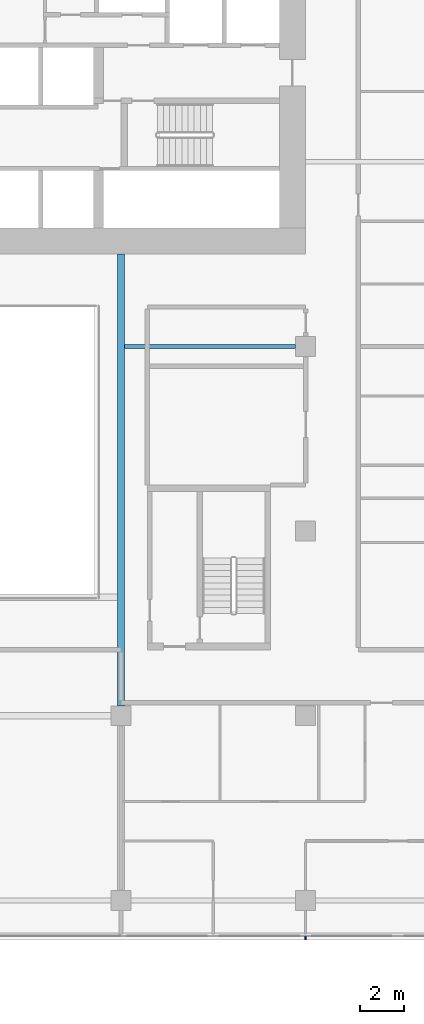
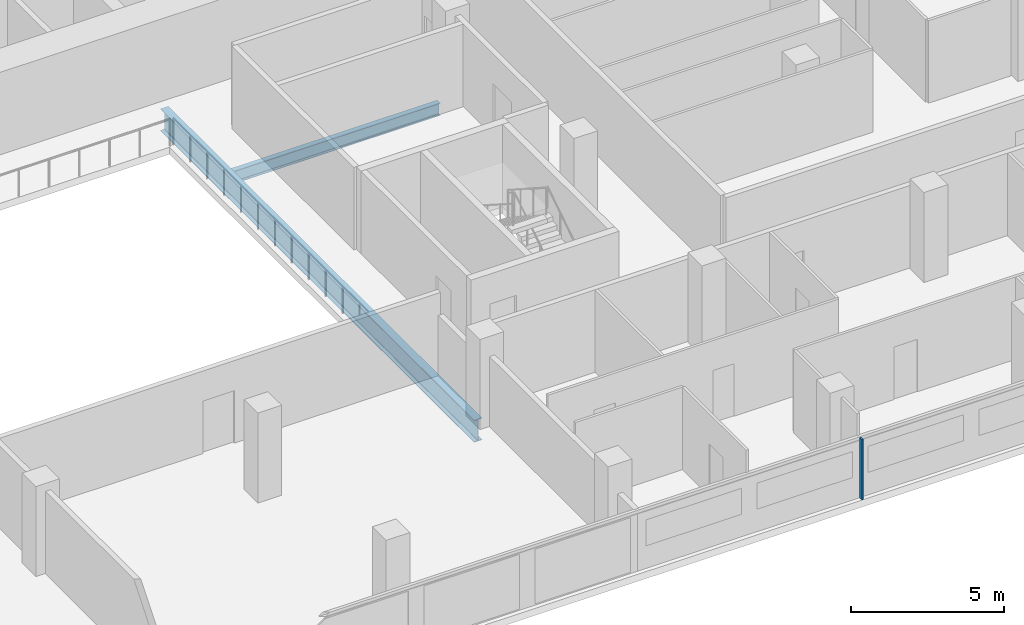
# One storey, part 8 of 25: 2 beams, 1 member, 1 element without a shape of its own.
"""IFC4 building model written with IfcOpenShell, lengths in metres."""

from ifc_helpers import new_model, si_unit, direction, frame, origin, origin_2d, place, context, subcontext, project, spatial, rectangle, i_section, extrude, material, material_profile, profile_set, type_object, element, aggregate, save


model = new_model("IFC4")

# Units and contexts
model_context = context("Model", 3, precision=1e-05, world=origin(), true_north=direction((0.0, 1.0)))
body_context = subcontext(model_context, "Body", "Model", "MODEL_VIEW")
ifc_project = project(units=[si_unit("LENGTHUNIT", "METRE"), si_unit("AREAUNIT", "SQUARE_METRE"), si_unit("VOLUMEUNIT", "CUBIC_METRE"), si_unit("PLANEANGLEUNIT", "RADIAN"), si_unit("MASSUNIT", "GRAM", prefix="KILO")], contexts=[model_context])

# Site, building, storey
site_placement = place(None, origin())
site = spatial("IfcSite", under=ifc_project, at=site_placement, CompositionType="ELEMENT")
building_placement = place(site_placement, origin())
building = spatial("IfcBuilding", under=site, at=building_placement, Name="Saffron Gate Tower", CompositionType="ELEMENT")
storey_placement = place(building_placement, frame((0.0, 0.0, 80.39990234375)))
storey = spatial("IfcBuildingStorey", under=building, at=storey_placement, Name="L19", CompositionType="ELEMENT", Elevation=80.39990234375)

# Beams
ifc_material_1 = material(Name="Structural steel S355", Category="steel")
ifc_material_profile_1 = material_profile(ifc_material_1, i_section(OverallWidth=0.199951171875, OverallDepth=0.5, WebThickness=0.01025390625, FlangeThickness=0.01611328125, FilletRadius=0.02099609375, at=origin_2d()))
ifc_profile_set_1 = profile_set([ifc_material_profile_1], Name="Structural steel S355")
beam_type_1 = type_object("IfcBeamType", Name="B10 IPE 500", PredefinedType="BEAM", material=ifc_profile_set_1)
beam_1_placement = place(storey_placement, frame((108.14990234375, 57.0, -0.52978515625), z_axis=(-1.0, 0.0, 0.0), x_axis=(0.0, -1.0, 0.0)))
element("IfcBeam", 1, at=beam_1_placement, inside=storey, type_object=beam_type_1, Name="B10 CORE TIE BEAM", PredefinedType="BEAM", context=body_context, shape_type="SweptSolid", body=[
    extrude(i_section(OverallWidth=0.199951171875, OverallDepth=0.5, WebThickness=0.01025390625, FlangeThickness=0.01611328125, FilletRadius=0.02099609375, at=origin_2d()), origin(), (0.0, 0.0, 1.0), 7.7998046875),
])
ifc_material_profile_2 = material_profile(ifc_material_1, i_section(OverallWidth=0.300048828125, OverallDepth=0.889892578125, WebThickness=0.01611328125, FlangeThickness=0.030029296875, FilletRadius=0.030029296875, at=origin_2d()))
ifc_profile_set_2 = profile_set([ifc_material_profile_2], Name="Structural steel S355")
beam_type_2 = type_object("IfcBeamType", Name="B19 HEA 900", PredefinedType="BEAM", material=ifc_profile_set_2)
beam_2_placement = place(storey_placement, frame((100.199951171875, 40.64990234375, -0.724853515625), z_axis=(0.0, 1.0, 0.0), x_axis=(-1.0, 0.0, 0.0)))
element("IfcBeam", 2, at=beam_2_placement, inside=storey, type_object=beam_type_2, Name="B19 ATRIUM GIRDER", PredefinedType="BEAM", context=body_context, shape_type="SweptSolid", body=[
    extrude(i_section(OverallWidth=0.300048828125, OverallDepth=0.889892578125, WebThickness=0.01611328125, FlangeThickness=0.030029296875, FilletRadius=0.030029296875, at=origin_2d()), origin(), (0.0, 0.0, 1.0), 20.550048828125),
])

# Curtain wall, member
ifc_material_2 = material(Name="Aluminium, bronze anodised", Category="aluminium")
curtain_wall_type = type_object("IfcCurtainWallType", Name="CWS1 curtain wall front facade", PredefinedType="NOTDEFINED", material=ifc_material_2)
curtain_wall_placement = place(storey_placement, origin())
curtain_wall = element("IfcCurtainWall", 3, at=curtain_wall_placement, inside=storey, type_object=curtain_wall_type, Name="CWS1 run 1", PredefinedType="NOTDEFINED")
ifc_material_profile_3 = material_profile(ifc_material_2, rectangle(XDim=0.159912109375, YDim=0.06005859375, at=origin_2d()))
ifc_profile_set_3 = profile_set([ifc_material_profile_3], Name="Aluminium, bronze anodised")
member_type = type_object("IfcMemberType", Name="CWS1 mullion 60x160", PredefinedType="MULLION", material=ifc_profile_set_3)
member_placement = place(storey_placement, frame((108.60009765625, 30.080078125, 0.0), z_axis=(0.0, 0.0, 1.0), x_axis=(0.0, 1.0, 0.0)))
member = element("IfcMember", 4, at=member_placement, type_object=member_type, Name="CWS1 mullion 8", PredefinedType="MULLION", context=body_context, shape_type="SweptSolid", body=[
    extrude(rectangle(XDim=0.159912109375, YDim=0.06005859375, at=origin_2d()), origin(), (0.0, 0.0, 1.0), 2.41015625),
])
aggregate(curtain_wall, [member])

save(model, "model.ifc")
